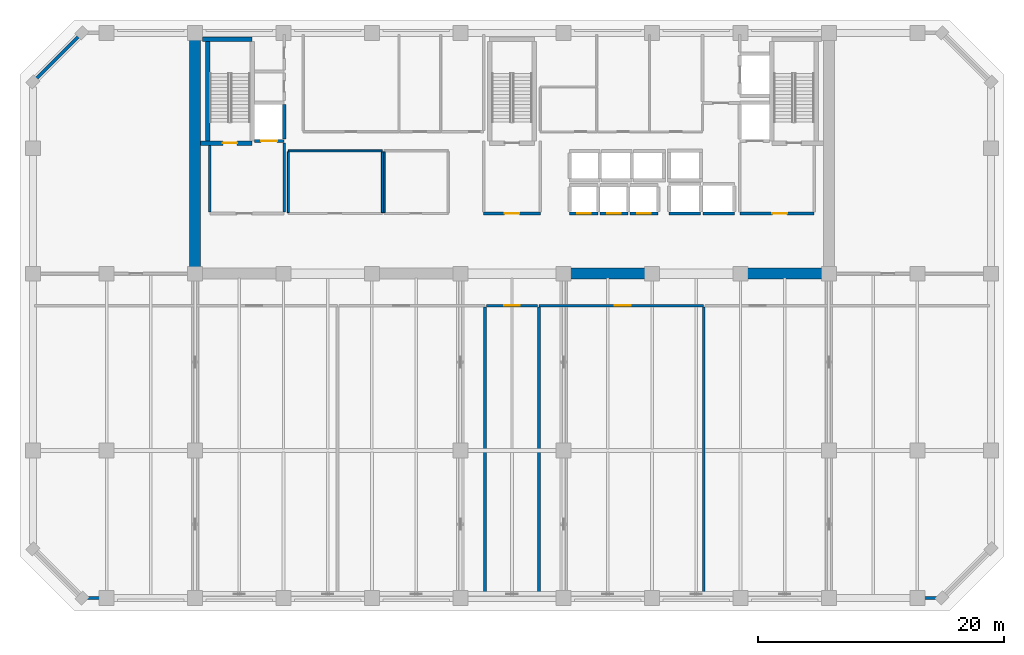
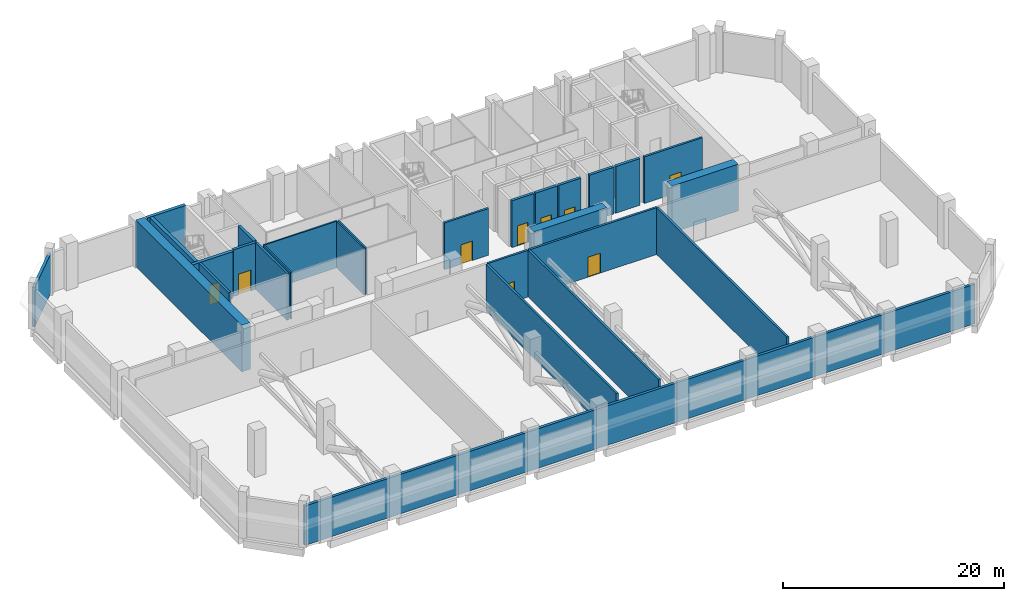
# One storey, part 8 of 13: 28 walls, 9 doors, 9 openings.
"""IFC4 building model written with IfcOpenShell, lengths in metres."""

from ifc_helpers import new_model, si_unit, direction, frame, frame_2d, origin, place, context, subcontext, project, spatial, rectangle, extrude, material, layer, layer_set, type_object, element, fill, save


model = new_model("IFC4")

# Units and contexts
model_context = context("Model", 3, precision=1e-05, world=origin(), true_north=direction((0.0, 1.0)))
body_context = subcontext(model_context, "Body", "Model", "MODEL_VIEW")
ifc_project = project(units=[si_unit("LENGTHUNIT", "METRE"), si_unit("AREAUNIT", "SQUARE_METRE"), si_unit("VOLUMEUNIT", "CUBIC_METRE"), si_unit("PLANEANGLEUNIT", "RADIAN"), si_unit("MASSUNIT", "GRAM", prefix="KILO")], contexts=[model_context])

# Site, building, storey
site_placement = place(None, origin())
site = spatial("IfcSite", under=ifc_project, at=site_placement, CompositionType="ELEMENT")
building_placement = place(site_placement, origin())
building = spatial("IfcBuilding", under=site, at=building_placement, Name="Kaelvorn Grand Hotel", CompositionType="ELEMENT")
storey_placement = place(building_placement, frame((0.0, 0.0, 184.75)))
storey = spatial("IfcBuildingStorey", under=building, at=storey_placement, Name="L45", CompositionType="ELEMENT", Elevation=184.75)

# Walls
ifc_material_1 = material(Name="Concrete C60/75", Category="concrete")
ifc_layer_1 = layer(ifc_material_1, 0.89990234375)
ifc_layer_set_1 = layer_set([ifc_layer_1], Name="Concrete C60/75")
wall_type_1 = type_object("IfcWallType", Name="WL-CORE-900-C60", PredefinedType="SHEAR", material=ifc_layer_set_1)
wall_1_placement = place(storey_placement, frame((16.199951171875, 29.39990234375, 0.0), z_axis=(0.0, 0.0, 1.0), x_axis=(0.0, 1.0, 0.0)))
element("IfcWall", 1, at=wall_1_placement, inside=storey, type_object=wall_type_1, Name="L45 Rear-Core West Shear Wall", PredefinedType="SHEAR", context=body_context, shape_type="SweptSolid", body=[
    extrude(rectangle(XDim=19.2001953125, YDim=0.89990234375, at=frame_2d((9.60009765625, 0.0))), origin(), (0.0, 0.0, 1.0), 5.159912109375),
])
wall_2_placement = place(storey_placement, frame((46.0, 29.39990234375, 0.0), z_axis=(0.0, 0.0, 1.0), x_axis=(1.0, 0.0, 0.0)))
element("IfcWall", 2, at=wall_2_placement, inside=storey, type_object=wall_type_1, Name="L45 Rear-Core Coupled Shear Pier S3", PredefinedType="SHEAR", context=body_context, shape_type="SweptSolid", body=[
    extrude(rectangle(XDim=7.60009765625, YDim=0.89990234375, at=frame_2d((3.800048828125, 0.0))), origin(), (0.0, 0.0, 1.0), 5.159912109375),
])
wall_3_placement = place(storey_placement, frame((60.39990234375, 29.39990234375, 0.0), z_axis=(0.0, 0.0, 1.0), x_axis=(1.0, 0.0, 0.0)))
element("IfcWall", 3, at=wall_3_placement, inside=storey, type_object=wall_type_1, Name="L45 Rear-Core Coupled Shear Pier S4", PredefinedType="SHEAR", context=body_context, shape_type="SweptSolid", body=[
    extrude(rectangle(XDim=6.945068359375, YDim=0.89990234375, at=frame_2d((3.47265625, 0.0))), origin(), (0.0, 0.0, 1.0), 5.159912109375),
])
ifc_material_2 = material(Name="Concrete C40/50", Category="concrete")
ifc_layer_2 = layer(ifc_material_2, 0.280029296875)
ifc_layer_set_2 = layer_set([ifc_layer_2], Name="Concrete C40/50")
wall_type_2 = type_object("IfcWallType", Name="WL-EXT-280-C40", PredefinedType="SOLIDWALL", material=ifc_layer_set_2)
wall_4_placement = place(storey_placement, frame((7.0, 3.0, 0.0), z_axis=(0.0, 0.0, 1.0), x_axis=(1.0, 0.0, 0.0)))
element("IfcWall", 4, at=wall_4_placement, inside=storey, type_object=wall_type_2, Name="L45 Exterior Architectural Concrete Wall 01", PredefinedType="SOLIDWALL", context=body_context, shape_type="SweptSolid", body=[
    extrude(rectangle(XDim=70.0, YDim=0.280029296875, at=frame_2d((35.0, 0.0))), origin(), (0.0, 0.0, 1.0), 4.360107421875),
])
wall_5_placement = place(storey_placement, frame((7.0, 49.0, 0.0), z_axis=(0.0, 0.0, 1.0), x_axis=(-0.707106781187, -0.707106781187, 0.0)))
element("IfcWall", 5, at=wall_5_placement, inside=storey, type_object=wall_type_2, Name="L45 Exterior Architectural Concrete Wall 06", PredefinedType="SOLIDWALL", context=body_context, shape_type="SweptSolid", body=[
    extrude(rectangle(XDim=5.65673828125, YDim=0.280029296875, at=frame_2d((2.828369140625, 0.0))), origin(), (0.0, 0.0, 1.0), 4.360107421875),
])
ifc_material_3 = material(Name="Acoustic Gypsum & Stud Partition")
ifc_layer_3 = layer(ifc_material_3, 0.14990234375)
ifc_layer_set_3 = layer_set([ifc_layer_3], Name="Acoustic Gypsum & Stud Partition")
wall_type_3 = type_object("IfcWallType", Name="WL-PART-150-EI60", PredefinedType="PARTITIONING", material=ifc_layer_set_3)
wall_6_placement = place(storey_placement, frame((31.60009765625, 34.3798828125, 0.0), z_axis=(0.0, 0.0, 1.0), x_axis=(0.0, 1.0, 0.0)))
element("IfcWall", 6, at=wall_6_placement, inside=storey, type_object=wall_type_3, Name="L45 Core Telecoms & BMS Server Room W Partition", PredefinedType="PARTITIONING", context=body_context, shape_type="SweptSolid", body=[
    extrude(rectangle(XDim=4.940185546875, YDim=0.14990234375, at=frame_2d((2.47021484375, 0.0))), origin(), (0.0, 0.0, 1.0), 5.159912109375),
])
wall_7_placement = place(storey_placement, frame((23.800048828125, 39.39990234375, 0.0), z_axis=(0.0, 0.0, 1.0), x_axis=(1.0, 0.0, 0.0)))
element("IfcWall", 7, at=wall_7_placement, inside=storey, type_object=wall_type_3, Name="L45 Executive Club Sitting Lounge N Partition", PredefinedType="PARTITIONING", context=body_context, shape_type="SweptSolid", body=[
    extrude(rectangle(XDim=7.64990234375, YDim=0.14990234375, at=frame_2d((3.824951171875, 0.0))), origin(), (0.0, 0.0, 1.0), 5.159912109375),
])
for number, where, z_axis, x_axis, name in (
    (8, (23.800048828125, 34.3798828125, 0.0), (0.0, 0.0, 1.0), (0.0, 1.0, 0.0), "L45 Executive Club Sitting Lounge W Partition"),
    (9, (31.449951171875, 34.3798828125, 0.0), (0.0, 0.0, 1.0), (0.0, 1.0, 0.0), "L45 Executive Club Sitting Lounge E Partition"),
):
    element("IfcWall", number, at=place(storey_placement, frame(where, z_axis=z_axis, x_axis=x_axis)), inside=storey, type_object=wall_type_3, Name=name, PredefinedType="PARTITIONING", context=body_context, shape_type="SweptSolid", body=[
        extrude(rectangle(XDim=4.940185546875, YDim=0.14990234375, at=frame_2d((2.47021484375, 0.0))), origin(), (0.0, 0.0, 1.0), 5.159912109375),
    ])
ifc_layer_4 = layer(ifc_material_2, 0.219970703125)
ifc_layer_set_4 = layer_set([ifc_layer_4], Name="Concrete C40/50")
wall_type_4 = type_object("IfcWallType", Name="WL-PART-220-EI120", PredefinedType="PARTITIONING", material=ifc_layer_set_4)
wall_8_placement = place(storey_placement, frame((17.39990234375, 34.4150390625, 0.0), z_axis=(0.0, 0.0, 1.0), x_axis=(0.0, 1.0, 0.0)))
element("IfcWall", 10, at=wall_8_placement, inside=storey, type_object=wall_type_4, Name="L45 Firefighting Lift Lobby 1 W Partition", PredefinedType="PARTITIONING", context=body_context, shape_type="SweptSolid", body=[
    extrude(rectangle(XDim=5.429931640625, YDim=0.219970703125, at=frame_2d((2.71484375, 0.0))), origin(), (0.0, 0.0, 1.0), 5.159912109375),
])
wall_9_placement = place(storey_placement, frame((23.449951171875, 34.4150390625, 0.0), z_axis=(0.0, 0.0, 1.0), x_axis=(0.0, 1.0, 0.0)))
element("IfcWall", 11, at=wall_9_placement, inside=storey, type_object=wall_type_4, Name="L45 Firefighting Lift Lobby 1 E Partition", PredefinedType="PARTITIONING", context=body_context, shape_type="SweptSolid", body=[
    extrude(rectangle(XDim=5.639892578125, YDim=0.219970703125, at=frame_2d((2.81982421875, 0.0))), origin(), (0.0, 0.0, 1.0), 5.159912109375),
])

# Wall, opening, door
wall_10_placement = place(storey_placement, frame((60.550048828125, 34.300048828125, 0.0), z_axis=(0.0, 0.0, 1.0), x_axis=(1.0, 0.0, 0.0)))
wall_10 = element("IfcWall", 12, at=wall_10_placement, inside=storey, type_object=wall_type_4, Name="L45 Firefighting Lift Lobby 2 S Partition", PredefinedType="PARTITIONING", context=body_context, shape_type="SweptSolid", body=[
    extrude(rectangle(XDim=6.050048828125, YDim=0.219970703125, at=frame_2d((3.02490234375, 0.0))), origin(), (0.0, 0.0, 1.0), 5.159912109375),
])
opening_1_placement = place(wall_10_placement, frame((2.64990234375, 0.0, 0.0)))
opening_1 = element("IfcOpeningElement", 13, at=opening_1_placement, cuts=wall_10, Name="Opening DI2", PredefinedType="OPENING", context=body_context, shape_type="SweptSolid", body=[
    extrude(rectangle(XDim=1.199951171875, YDim=2.14990234375, at=frame_2d((0.60009765625, 1.074951171875))), frame((0.0, 0.1201171875, 0.0), z_axis=(0.0, -1.0, 0.0), x_axis=(1.0, 0.0, 0.0)), (0.0, 0.0, 1.0), 0.239990234375),
])
ifc_material_4 = material(Name="Timber Veneer Fire Leaf", Category="wood")
door_type_1 = type_object("IfcDoorType", Name="DR-INT-FFLOB-1200x2150", OperationType="NOTDEFINED", PredefinedType="DOOR", material=ifc_material_4)
door_1_placement = place(opening_1_placement, origin())
door_1 = element("IfcDoor", 14, at=door_1_placement, inside=storey, type_object=door_type_1, Name="L45 Firefighting Lift Lobby 2 Door", OperationType="SINGLE_SWING_LEFT", OverallHeight=2.14990234375, OverallWidth=1.199951171875, PredefinedType="DOOR", context=body_context, shape_type="SweptSolid", body=[
    extrude(rectangle(XDim=1.199951171875, YDim=2.14990234375, at=frame_2d((0.60009765625, 1.074951171875))), frame((0.0, 0.02490234375, 0.0), z_axis=(0.0, -1.0, 0.0), x_axis=(1.0, 0.0, 0.0)), (0.0, 0.0, 1.0), 0.050048828125),
])
fill(opening_1, door_1)

wall_11_placement = place(storey_placement, frame((39.699951171875, 34.300048828125, 0.0), z_axis=(0.0, 0.0, 1.0), x_axis=(1.0, 0.0, 0.0)))
wall_11 = element("IfcWall", 15, at=wall_11_placement, inside=storey, type_object=wall_type_4, Name="L45 Central Stair Escape Vestibule S Partition", PredefinedType="PARTITIONING", context=body_context, shape_type="SweptSolid", body=[
    extrude(rectangle(XDim=4.60009765625, YDim=0.219970703125, at=frame_2d((2.300048828125, 0.0))), origin(), (0.0, 0.0, 1.0), 5.159912109375),
])
opening_2_placement = place(wall_11_placement, frame((1.699951171875, 0.0, 0.0)))
opening_2 = element("IfcOpeningElement", 16, at=opening_2_placement, cuts=wall_11, Name="Opening DI2", PredefinedType="OPENING", context=body_context, shape_type="SweptSolid", body=[
    extrude(rectangle(XDim=1.199951171875, YDim=2.14990234375, at=frame_2d((0.60009765625, 1.074951171875))), frame((0.0, 0.1201171875, 0.0), z_axis=(0.0, -1.0, 0.0), x_axis=(1.0, 0.0, 0.0)), (0.0, 0.0, 1.0), 0.239990234375),
])
door_2_placement = place(opening_2_placement, origin())
door_2 = element("IfcDoor", 17, at=door_2_placement, inside=storey, type_object=door_type_1, Name="L45 Central Stair Escape Vestibule Door", OperationType="SINGLE_SWING_RIGHT", OverallHeight=2.14990234375, OverallWidth=1.199951171875, PredefinedType="DOOR", context=body_context, shape_type="SweptSolid", body=[
    extrude(rectangle(XDim=1.199951171875, YDim=2.14990234375, at=frame_2d((0.60009765625, 1.074951171875))), frame((0.0, 0.02490234375, 0.0), z_axis=(0.0, -1.0, 0.0), x_axis=(1.0, 0.0, 0.0)), (0.0, 0.0, 1.0), 0.050048828125),
])
fill(opening_2, door_2)

# Wall
wall_12_placement = place(storey_placement, frame((39.800048828125, 3.14990234375, 0.0), z_axis=(0.0, 0.0, 1.0), x_axis=(0.0, 1.0, 0.0)))
element("IfcWall", 18, at=wall_12_placement, inside=storey, type_object=wall_type_4, Name="L45 AHU Mechanical Ventilation Plant Room E Partition", PredefinedType="PARTITIONING", context=body_context, shape_type="SweptSolid", body=[
    extrude(rectangle(XDim=23.53515625, YDim=0.219970703125, at=frame_2d((11.767578125, 0.0))), origin(), (0.0, 0.0, 1.0), 5.159912109375),
])

# Wall, opening, door
wall_13_placement = place(storey_placement, frame((44.199951171875, 26.800048828125, 0.0), z_axis=(0.0, 0.0, 1.0), x_axis=(1.0, 0.0, 0.0)))
wall_13 = element("IfcWall", 19, at=wall_13_placement, inside=storey, type_object=wall_type_4, Name="L45 HV Electrical Transformer & Switchroom N Partition", PredefinedType="PARTITIONING", context=body_context, shape_type="SweptSolid", body=[
    extrude(rectangle(XDim=13.400146484375, YDim=0.219970703125, at=frame_2d((6.7001953125, 0.0))), origin(), (0.0, 0.0, 1.0), 5.159912109375),
])
opening_3_placement = place(wall_13_placement, frame((6.14990234375, 0.0, 0.0)))
opening_3 = element("IfcOpeningElement", 20, at=opening_3_placement, cuts=wall_13, Name="Opening DI6", PredefinedType="OPENING", context=body_context, shape_type="SweptSolid", body=[
    extrude(rectangle(XDim=1.300048828125, YDim=2.199951171875, at=frame_2d((0.64990234375, 1.10009765625))), frame((0.0, 0.1201171875, 0.0), z_axis=(0.0, -1.0, 0.0), x_axis=(1.0, 0.0, 0.0)), (0.0, 0.0, 1.0), 0.239990234375),
])
ifc_material_5 = material(Name="Powder-Coated Steel Leaf", Category="steel")
door_type_2 = type_object("IfcDoorType", Name="DR-INT-PLANT-1300x2200", OperationType="DOUBLE_DOOR_SINGLE_SWING", PredefinedType="DOOR", material=ifc_material_5)
door_3_placement = place(opening_3_placement, origin())
door_3 = element("IfcDoor", 21, at=door_3_placement, inside=storey, type_object=door_type_2, Name="L45 HV Electrical Transformer & Switchroom Door", OperationType="DOUBLE_DOOR_SINGLE_SWING", OverallHeight=2.199951171875, OverallWidth=1.300048828125, PredefinedType="DOOR", context=body_context, shape_type="SweptSolid", body=[
    extrude(rectangle(XDim=1.300048828125, YDim=2.199951171875, at=frame_2d((0.64990234375, 1.10009765625))), frame((0.0, 0.02490234375, 0.0), z_axis=(0.0, -1.0, 0.0), x_axis=(1.0, 0.0, 0.0)), (0.0, 0.0, 1.0), 0.050048828125),
])
fill(opening_3, door_3)

# Walls
for number, where, z_axis, x_axis, name in (
    (22, (44.199951171875, 3.14990234375, 0.0), (0.0, 0.0, 1.0), (0.0, 1.0, 0.0), "L45 HV Electrical Transformer & Switchroom W Partition"),
    (23, (57.60009765625, 3.14990234375, 0.0), (0.0, 0.0, 1.0), (0.0, 1.0, 0.0), "L45 HV Electrical Transformer & Switchroom E Partition"),
):
    element("IfcWall", number, at=place(storey_placement, frame(where, z_axis=z_axis, x_axis=x_axis)), inside=storey, type_object=wall_type_4, Name=name, PredefinedType="PARTITIONING", context=body_context, shape_type="SweptSolid", body=[
        extrude(rectangle(XDim=23.53515625, YDim=0.219970703125, at=frame_2d((11.767578125, 0.0))), origin(), (0.0, 0.0, 1.0), 5.159912109375),
    ])

# Wall, opening, door
wall_14_placement = place(storey_placement, frame((39.9150390625, 26.800048828125, 0.0), z_axis=(0.0, 0.0, 1.0), x_axis=(1.0, 0.0, 0.0)))
wall_14 = element("IfcWall", 24, at=wall_14_placement, inside=storey, type_object=wall_type_4, Name="L45 Smoke Control & BMS Telemetry Room N Partition", PredefinedType="PARTITIONING", context=body_context, shape_type="SweptSolid", body=[
    extrude(rectangle(XDim=4.169921875, YDim=0.219970703125, at=frame_2d((2.0849609375, 0.0))), origin(), (0.0, 0.0, 1.0), 5.159912109375),
])
opening_4_placement = place(wall_14_placement, frame((1.43505859375, 0.0, 0.0)))
opening_4 = element("IfcOpeningElement", 25, at=opening_4_placement, cuts=wall_14, Name="Opening DI6", PredefinedType="OPENING", context=body_context, shape_type="SweptSolid", body=[
    extrude(rectangle(XDim=1.300048828125, YDim=2.199951171875, at=frame_2d((0.64990234375, 1.10009765625))), frame((0.0, 0.1201171875, 0.0), z_axis=(0.0, -1.0, 0.0), x_axis=(1.0, 0.0, 0.0)), (0.0, 0.0, 1.0), 0.239990234375),
])
door_4_placement = place(opening_4_placement, origin())
door_4 = element("IfcDoor", 26, at=door_4_placement, inside=storey, type_object=door_type_2, Name="L45 Smoke Control & BMS Telemetry Room Door", OperationType="DOUBLE_DOOR_SINGLE_SWING", OverallHeight=2.199951171875, OverallWidth=1.300048828125, PredefinedType="DOOR", context=body_context, shape_type="SweptSolid", body=[
    extrude(rectangle(XDim=1.300048828125, YDim=2.199951171875, at=frame_2d((0.64990234375, 1.10009765625))), frame((0.0, 0.02490234375, 0.0), z_axis=(0.0, -1.0, 0.0), x_axis=(1.0, 0.0, 0.0)), (0.0, 0.0, 1.0), 0.050048828125),
])
fill(opening_4, door_4)

ifc_material_6 = material(Name="Concrete C50/60", Category="concrete")
ifc_layer_5 = layer(ifc_material_6, 0.280029296875)
ifc_layer_set_5 = layer_set([ifc_layer_5], Name="Concrete C50/60")
wall_type_5 = type_object("IfcWallType", Name="WL-SHAFT-280-C50", PredefinedType="SHEAR", material=ifc_layer_set_5)
wall_15_placement = place(storey_placement, frame((46.699951171875, 34.300048828125, 0.0), z_axis=(0.0, 0.0, 1.0), x_axis=(1.0, 0.0, 0.0)))
wall_15 = element("IfcWall", 27, at=wall_15_placement, inside=storey, type_object=wall_type_5, Name="L45 Lift PL-M1 Shaft South Wall", PredefinedType="SHEAR", context=body_context, shape_type="SweptSolid", body=[
    extrude(rectangle(XDim=2.300048828125, YDim=0.280029296875, at=frame_2d((1.14990234375, 0.0))), origin(), (0.0, 0.0, 1.0), 5.159912109375),
])
opening_5_placement = place(wall_15_placement, frame((0.60009765625, 0.0, 0.0)))
opening_5 = element("IfcOpeningElement", 28, at=opening_5_placement, cuts=wall_15, Name="Opening LD-PL-M1", PredefinedType="OPENING", context=body_context, shape_type="SweptSolid", body=[
    extrude(rectangle(XDim=1.10009765625, YDim=2.199951171875, at=frame_2d((0.550048828125, 1.10009765625))), frame((0.0, 0.14990234375, 0.0), z_axis=(0.0, -1.0, 0.0), x_axis=(1.0, 0.0, 0.0)), (0.0, 0.0, 1.0), 0.300048828125),
])
ifc_material_7 = material(Name="Stainless Steel", Category="steel")
door_type_3 = type_object("IfcDoorType", Name="DR-LIFT-PASS-1100x2200", OperationType="DOUBLE_DOOR_SLIDING", PredefinedType="DOOR", material=ifc_material_7)
door_5_placement = place(opening_5_placement, origin())
door_5 = element("IfcDoor", 29, at=door_5_placement, inside=storey, type_object=door_type_3, Name="L45 Lift PL-M1 Sliding Landing Door LD-PL-M1", OperationType="DOUBLE_DOOR_SLIDING", OverallHeight=2.199951171875, OverallWidth=1.10009765625, PredefinedType="DOOR", context=body_context, shape_type="SweptSolid", body=[
    extrude(rectangle(XDim=1.10009765625, YDim=2.199951171875, at=frame_2d((0.550048828125, 1.10009765625))), frame((0.0, 0.02490234375, 0.0), z_axis=(0.0, -1.0, 0.0), x_axis=(1.0, 0.0, 0.0)), (0.0, 0.0, 1.0), 0.050048828125),
])
fill(opening_5, door_5)

wall_16_placement = place(storey_placement, frame((49.14990234375, 34.300048828125, 0.0), z_axis=(0.0, 0.0, 1.0), x_axis=(1.0, 0.0, 0.0)))
wall_16 = element("IfcWall", 30, at=wall_16_placement, inside=storey, type_object=wall_type_5, Name="L45 Lift PL-M2 Shaft South Wall", PredefinedType="SHEAR", context=body_context, shape_type="SweptSolid", body=[
    extrude(rectangle(XDim=2.300048828125, YDim=0.280029296875, at=frame_2d((1.14990234375, 0.0))), origin(), (0.0, 0.0, 1.0), 5.159912109375),
])
opening_6_placement = place(wall_16_placement, frame((0.60009765625, 0.0, 0.0)))
opening_6 = element("IfcOpeningElement", 31, at=opening_6_placement, cuts=wall_16, Name="Opening LD-PL-M2", PredefinedType="OPENING", context=body_context, shape_type="SweptSolid", body=[
    extrude(rectangle(XDim=1.10009765625, YDim=2.199951171875, at=frame_2d((0.550048828125, 1.10009765625))), frame((0.0, 0.14990234375, 0.0), z_axis=(0.0, -1.0, 0.0), x_axis=(1.0, 0.0, 0.0)), (0.0, 0.0, 1.0), 0.300048828125),
])
door_6_placement = place(opening_6_placement, origin())
door_6 = element("IfcDoor", 32, at=door_6_placement, inside=storey, type_object=door_type_3, Name="L45 Lift PL-M2 Sliding Landing Door LD-PL-M2", OperationType="DOUBLE_DOOR_SLIDING", OverallHeight=2.199951171875, OverallWidth=1.10009765625, PredefinedType="DOOR", context=body_context, shape_type="SweptSolid", body=[
    extrude(rectangle(XDim=1.10009765625, YDim=2.199951171875, at=frame_2d((0.550048828125, 1.10009765625))), frame((0.0, 0.02490234375, 0.0), z_axis=(0.0, -1.0, 0.0), x_axis=(1.0, 0.0, 0.0)), (0.0, 0.0, 1.0), 0.050048828125),
])
fill(opening_6, door_6)

wall_17_placement = place(storey_placement, frame((51.60009765625, 34.300048828125, 0.0), z_axis=(0.0, 0.0, 1.0), x_axis=(1.0, 0.0, 0.0)))
wall_17 = element("IfcWall", 33, at=wall_17_placement, inside=storey, type_object=wall_type_5, Name="L45 Lift PL-M3 Shaft South Wall", PredefinedType="SHEAR", context=body_context, shape_type="SweptSolid", body=[
    extrude(rectangle(XDim=2.2998046875, YDim=0.280029296875, at=frame_2d((1.14990234375, 0.0))), origin(), (0.0, 0.0, 1.0), 5.159912109375),
])
opening_7_placement = place(wall_17_placement, frame((0.60009765625, 0.0, 0.0)))
opening_7 = element("IfcOpeningElement", 34, at=opening_7_placement, cuts=wall_17, Name="Opening LD-PL-M3", PredefinedType="OPENING", context=body_context, shape_type="SweptSolid", body=[
    extrude(rectangle(XDim=1.10009765625, YDim=2.199951171875, at=frame_2d((0.550048828125, 1.10009765625))), frame((0.0, 0.14990234375, 0.0), z_axis=(0.0, -1.0, 0.0), x_axis=(1.0, 0.0, 0.0)), (0.0, 0.0, 1.0), 0.300048828125),
])
door_7_placement = place(opening_7_placement, origin())
door_7 = element("IfcDoor", 35, at=door_7_placement, inside=storey, type_object=door_type_3, Name="L45 Lift PL-M3 Sliding Landing Door LD-PL-M3", OperationType="DOUBLE_DOOR_SLIDING", OverallHeight=2.199951171875, OverallWidth=1.10009765625, PredefinedType="DOOR", context=body_context, shape_type="SweptSolid", body=[
    extrude(rectangle(XDim=1.10009765625, YDim=2.199951171875, at=frame_2d((0.550048828125, 1.10009765625))), frame((0.0, 0.02490234375, 0.0), z_axis=(0.0, -1.0, 0.0), x_axis=(1.0, 0.0, 0.0)), (0.0, 0.0, 1.0), 0.050048828125),
])
fill(opening_7, door_7)

# Walls
for number, where, z_axis, x_axis, name in (
    (36, (54.800048828125, 34.300048828125, 0.0), (0.0, 0.0, 1.0), (1.0, 0.0, 0.0), "L45 Lift OL-1 Shaft South Wall"),
    (37, (57.550048828125, 34.300048828125, 0.0), (0.0, 0.0, 1.0), (1.0, 0.0, 0.0), "L45 Lift OL-2 Shaft South Wall"),
):
    element("IfcWall", number, at=place(storey_placement, frame(where, z_axis=z_axis, x_axis=x_axis)), inside=storey, type_object=wall_type_5, Name=name, PredefinedType="SHEAR", context=body_context, shape_type="SweptSolid", body=[
        extrude(rectangle(XDim=2.550048828125, YDim=0.280029296875, at=frame_2d((1.27490234375, 0.0))), origin(), (0.0, 0.0, 1.0), 5.159912109375),
    ])

# Wall, opening, door
wall_18_placement = place(storey_placement, frame((21.034912109375, 40.199951171875, 0.0), z_axis=(0.0, 0.0, 1.0), x_axis=(1.0, 0.0, 0.0)))
wall_18 = element("IfcWall", 38, at=wall_18_placement, inside=storey, type_object=wall_type_5, Name="L45 Lift FFL1 Shaft South Wall", PredefinedType="SHEAR", context=body_context, shape_type="SweptSolid", body=[
    extrude(rectangle(XDim=2.4150390625, YDim=0.280029296875, at=frame_2d((1.20751953125, 0.0))), origin(), (0.0, 0.0, 1.0), 5.159912109375),
])
opening_8_placement = place(wall_18_placement, frame((0.5400390625, 0.0, 0.0)))
opening_8 = element("IfcOpeningElement", 39, at=opening_8_placement, cuts=wall_18, Name="Opening LD-FFL1", PredefinedType="OPENING", context=body_context, shape_type="SweptSolid", body=[
    extrude(rectangle(XDim=1.300048828125, YDim=2.300048828125, at=frame_2d((0.64990234375, 1.14990234375))), frame((0.0, 0.14990234375, 0.0), z_axis=(0.0, -1.0, 0.0), x_axis=(1.0, 0.0, 0.0)), (0.0, 0.0, 1.0), 0.300048828125),
])
door_type_4 = type_object("IfcDoorType", Name="DR-LIFT-SERV-1300x2300", OperationType="DOUBLE_DOOR_SLIDING", PredefinedType="DOOR", material=ifc_material_7)
door_8_placement = place(opening_8_placement, origin())
door_8 = element("IfcDoor", 40, at=door_8_placement, inside=storey, type_object=door_type_4, Name="L45 Lift FFL1 Sliding Landing Door LD-FFL1", OperationType="DOUBLE_DOOR_SLIDING", OverallHeight=2.300048828125, OverallWidth=1.300048828125, PredefinedType="DOOR", context=body_context, shape_type="SweptSolid", body=[
    extrude(rectangle(XDim=1.300048828125, YDim=2.300048828125, at=frame_2d((0.64990234375, 1.14990234375))), frame((0.0, 0.02490234375, 0.0), z_axis=(0.0, -1.0, 0.0), x_axis=(1.0, 0.0, 0.0)), (0.0, 0.0, 1.0), 0.050048828125),
])
fill(opening_8, door_8)

# Wall
wall_19_placement = place(storey_placement, frame((23.449951171875, 40.344970703125, 0.0), z_axis=(0.0, 0.0, 1.0), x_axis=(0.0, 1.0, 0.0)))
element("IfcWall", 41, at=wall_19_placement, inside=storey, type_object=wall_type_5, Name="L45 Lift FFL1 Shaft East Wall", PredefinedType="SHEAR", context=body_context, shape_type="SweptSolid", body=[
    extrude(rectangle(XDim=2.81005859375, YDim=0.280029296875, at=frame_2d((1.405029296875, 0.0))), origin(), (0.0, 0.0, 1.0), 5.159912109375),
])

# Wall, opening, door
ifc_layer_6 = layer(ifc_material_1, 0.35009765625)
ifc_layer_set_6 = layer_set([ifc_layer_6], Name="Concrete C60/75")
wall_type_6 = type_object("IfcWallType", Name="WL-SHAFT-350-C60", PredefinedType="SHEAR", material=ifc_layer_set_6)
wall_20_placement = place(storey_placement, frame((16.655029296875, 40.02490234375, 0.0), z_axis=(0.0, 0.0, 1.0), x_axis=(1.0, 0.0, 0.0)))
wall_20 = element("IfcWall", 42, at=wall_20_placement, inside=storey, type_object=wall_type_6, Name="L45 ST1 Stair Shaft South Wall", PredefinedType="SHEAR", context=body_context, shape_type="SweptSolid", body=[
    extrude(rectangle(XDim=4.199951171875, YDim=0.35009765625, at=frame_2d((2.10009765625, 0.0))), origin(), (0.0, 0.0, 1.0), 5.159912109375),
])
opening_9_placement = place(wall_20_placement, frame((1.81005859375, 0.0, 0.0)))
opening_9 = element("IfcOpeningElement", 43, at=opening_9_placement, cuts=wall_20, Name="Opening DI1", PredefinedType="OPENING", context=body_context, shape_type="SweptSolid", body=[
    extrude(rectangle(XDim=1.14990234375, YDim=2.14990234375, at=frame_2d((0.574951171875, 1.074951171875))), frame((0.0, 0.18505859375, 0.0), z_axis=(0.0, -1.0, 0.0), x_axis=(1.0, 0.0, 0.0)), (0.0, 0.0, 1.0), 0.3701171875),
])
door_type_5 = type_object("IfcDoorType", Name="DR-INT-STAIR-1150x2150", OperationType="NOTDEFINED", PredefinedType="DOOR", material=ifc_material_4)
door_9_placement = place(opening_9_placement, origin())
door_9 = element("IfcDoor", 44, at=door_9_placement, inside=storey, type_object=door_type_5, Name="L45 ST1 Exit Stair Fire Door", OperationType="SINGLE_SWING_LEFT", OverallHeight=2.14990234375, OverallWidth=1.14990234375, PredefinedType="DOOR", context=body_context, shape_type="SweptSolid", body=[
    extrude(rectangle(XDim=1.14990234375, YDim=2.14990234375, at=frame_2d((0.574951171875, 1.074951171875))), frame((0.0, 0.02490234375, 0.0), z_axis=(0.0, -1.0, 0.0), x_axis=(1.0, 0.0, 0.0)), (0.0, 0.0, 1.0), 0.050048828125),
])
fill(opening_9, door_9)

# Walls
wall_21_placement = place(storey_placement, frame((16.804931640625, 48.47509765625, 0.0), z_axis=(0.0, 0.0, 1.0), x_axis=(1.0, 0.0, 0.0)))
element("IfcWall", 45, at=wall_21_placement, inside=storey, type_object=wall_type_6, Name="L45 ST1 Stair Shaft North Wall", PredefinedType="SHEAR", context=body_context, shape_type="SweptSolid", body=[
    extrude(rectangle(XDim=4.050048828125, YDim=0.35009765625, at=frame_2d((2.02490234375, 0.0))), origin(), (0.0, 0.0, 1.0), 5.159912109375),
])
wall_22_placement = place(storey_placement, frame((17.22509765625, 40.205078125, 0.0), z_axis=(0.0, 0.0, 1.0), x_axis=(0.0, 1.0, 0.0)))
element("IfcWall", 46, at=wall_22_placement, inside=storey, type_object=wall_type_6, Name="L45 ST1 Stair Shaft West Wall", PredefinedType="SHEAR", context=body_context, shape_type="SweptSolid", body=[
    extrude(rectangle(XDim=8.08984375, YDim=0.35009765625, at=frame_2d((4.044921875, 0.0))), origin(), (0.0, 0.0, 1.0), 5.159912109375),
])

save(model, "model.ifc")
